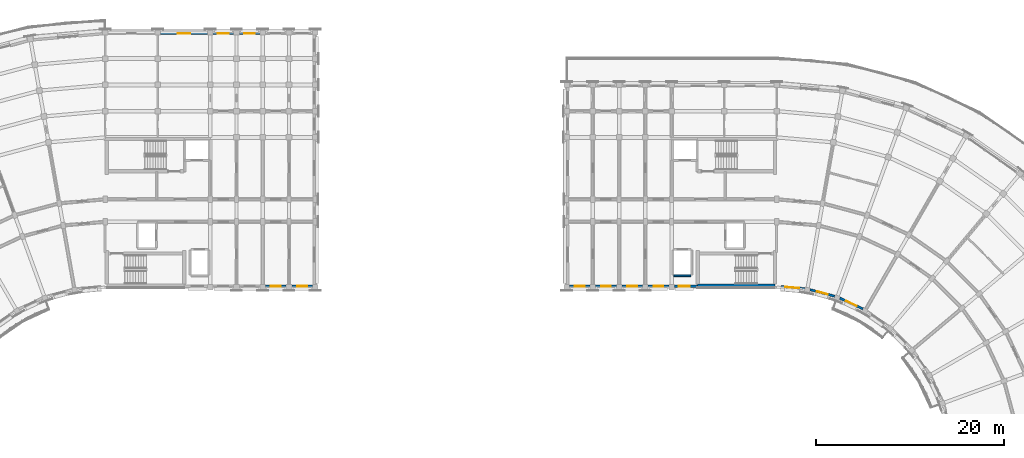
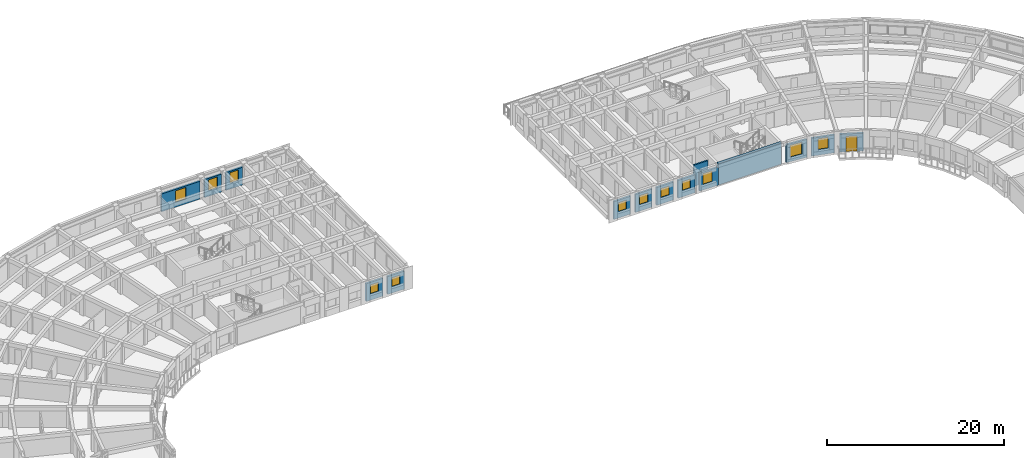
# One storey, part 20 of 41: 15 walls, 12 windows, 1 door, 13 openings.
"""IFC4 building model written with IfcOpenShell, lengths in metres."""

from ifc_helpers import new_model, si_unit, direction, frame, frame_2d, origin, place, context, subcontext, project, spatial, rectangle, extrude, material, layer, layer_set, type_object, element, fill, save


model = new_model("IFC4")

# Units and contexts
model_context = context("Model", 3, precision=1e-05, world=origin(), true_north=direction((0.0, 1.0)))
body_context = subcontext(model_context, "Body", "Model", "MODEL_VIEW")
ifc_project = project(units=[si_unit("LENGTHUNIT", "METRE"), si_unit("AREAUNIT", "SQUARE_METRE"), si_unit("VOLUMEUNIT", "CUBIC_METRE"), si_unit("PLANEANGLEUNIT", "RADIAN"), si_unit("MASSUNIT", "GRAM", prefix="KILO")], contexts=[model_context])

# Site, building, storey
site_placement = place(None, origin())
site = spatial("IfcSite", under=ifc_project, at=site_placement, CompositionType="ELEMENT")
building_placement = place(site_placement, origin())
building = spatial("IfcBuilding", under=site, at=building_placement, Name="Kiranvali Square Residences", CompositionType="ELEMENT")
storey_placement = place(building_placement, frame((0.0, 0.0, 33.89990234375)))
storey = spatial("IfcBuildingStorey", under=building, at=storey_placement, Name="L10", CompositionType="ELEMENT", Elevation=33.89990234375)

# Wall, opening, window
ifc_material_1 = material(Name="Breathable lime-rendered clay brick masonry", Category="masonry")
ifc_layer_1 = layer(ifc_material_1, 0.25)
ifc_layer_set_1 = layer_set([ifc_layer_1], Name="Breathable lime-rendered clay brick masonry")
wall_type_1 = type_object("IfcWallType", Name="WL-EXT-250", PredefinedType="STANDARD", material=ifc_layer_set_1)
wall_1_placement = place(storey_placement, frame((54.103515625, 133.675048828125, 0.0), z_axis=(0.0, 0.0, 1.0), x_axis=(1.0, 0.0, 0.0)))
wall_1 = element("IfcWall", 1, at=wall_1_placement, inside=storey, type_object=wall_type_1, Name="L10 exterior wall A-L10-A1O-1", PredefinedType="STANDARD", context=body_context, shape_type="SweptSolid", body=[
    extrude(rectangle(XDim=4.992919921875, YDim=0.25, at=frame_2d((2.49658203125, 0.0))), origin(), (0.0, 0.0, 1.0), 2.47216796875),
])
opening_1_placement = place(wall_1_placement, frame((1.821533203125, 0.0, 0.672119140625)))
opening_1 = element("IfcOpeningElement", 2, at=opening_1_placement, cuts=wall_1, Name="Opening W-14", PredefinedType="OPENING", context=body_context, shape_type="SweptSolid", body=[
    extrude(rectangle(XDim=1.35009765625, YDim=1.60009765625, at=frame_2d((0.675048828125, 0.800048828125))), frame((0.0, 0.135009765625, 0.0), z_axis=(0.0, -1.0, 0.0), x_axis=(1.0, 0.0, 0.0)), (0.0, 0.0, 1.0), 0.27001953125),
])
ifc_material_2 = material(Name="Solar-control low-e double glazing", Category="glass")
window_type_1 = type_object("IfcWindowType", Name="WIN-RES-1350x1600", PartitioningType="DOUBLE_PANEL_VERTICAL", PredefinedType="WINDOW", material=ifc_material_2)
window_1_placement = place(opening_1_placement, origin())
window_1 = element("IfcWindow", 3, at=window_1_placement, inside=storey, type_object=window_type_1, Name="L10 recessed window A-L10-A1O-1", OverallHeight=1.60009765625, OverallWidth=1.35009765625, PartitioningType="DOUBLE_PANEL_VERTICAL", PredefinedType="WINDOW", context=body_context, shape_type="SweptSolid", body=[
    extrude(rectangle(XDim=1.35009765625, YDim=1.60009765625, at=frame_2d((0.675048828125, 0.800048828125))), frame((0.0, 0.030029296875, 0.0), z_axis=(0.0, -1.0, 0.0), x_axis=(1.0, 0.0, 0.0)), (0.0, 0.0, 1.0), 0.06005859375),
])
fill(opening_1, window_1)

wall_2_placement = place(storey_placement, frame((59.70361328125, 133.675048828125, 0.0), z_axis=(0.0, 0.0, 1.0), x_axis=(1.0, 0.0, 0.0)))
wall_2 = element("IfcWall", 4, at=wall_2_placement, inside=storey, type_object=wall_type_1, Name="L10 exterior wall A-L10-A1O-2", PredefinedType="STANDARD", context=body_context, shape_type="SweptSolid", body=[
    extrude(rectangle(XDim=2.19287109375, YDim=0.25, at=frame_2d((1.096435546875, 0.0))), origin(), (0.0, 0.0, 1.0), 2.47216796875),
])
opening_2_placement = place(wall_2_placement, frame((0.49658203125, 0.0, 0.77197265625)))
opening_2 = element("IfcOpeningElement", 5, at=opening_2_placement, cuts=wall_2, Name="Opening W-06", PredefinedType="OPENING", context=body_context, shape_type="SweptSolid", body=[
    extrude(rectangle(XDim=1.199951171875, YDim=1.5, at=frame_2d((0.60009765625, 0.75))), frame((0.0, 0.135009765625, 0.0), z_axis=(0.0, -1.0, 0.0), x_axis=(1.0, 0.0, 0.0)), (0.0, 0.0, 1.0), 0.27001953125),
])
window_type_2 = type_object("IfcWindowType", Name="WIN-RES-1200x1500", PartitioningType="SINGLE_PANEL", PredefinedType="WINDOW", material=ifc_material_2)
window_2_placement = place(opening_2_placement, origin())
window_2 = element("IfcWindow", 6, at=window_2_placement, inside=storey, type_object=window_type_2, Name="L10 recessed window A-L10-A1O-2", OverallHeight=1.5, OverallWidth=1.199951171875, PartitioningType="SINGLE_PANEL", PredefinedType="WINDOW", context=body_context, shape_type="SweptSolid", body=[
    extrude(rectangle(XDim=1.199951171875, YDim=1.5, at=frame_2d((0.60009765625, 0.75))), frame((0.0, 0.030029296875, 0.0), z_axis=(0.0, -1.0, 0.0), x_axis=(1.0, 0.0, 0.0)), (0.0, 0.0, 1.0), 0.06005859375),
])
fill(opening_2, window_2)

wall_3_placement = place(storey_placement, frame((62.50341796875, 133.675048828125, 0.0), z_axis=(0.0, 0.0, 1.0), x_axis=(1.0, 0.0, 0.0)))
wall_3 = element("IfcWall", 7, at=wall_3_placement, inside=storey, type_object=wall_type_1, Name="L10 exterior wall A-L10-A1O-3", PredefinedType="STANDARD", context=body_context, shape_type="SweptSolid", body=[
    extrude(rectangle(XDim=2.193115234375, YDim=0.25, at=frame_2d((1.0966796875, 0.0))), origin(), (0.0, 0.0, 1.0), 2.47216796875),
])
opening_3_placement = place(wall_3_placement, frame((0.54638671875, 0.0, 0.822021484375)))
opening_3 = element("IfcOpeningElement", 8, at=opening_3_placement, cuts=wall_3, Name="Opening W-15", PredefinedType="OPENING", context=body_context, shape_type="SweptSolid", body=[
    extrude(rectangle(XDim=1.10009765625, YDim=1.449951171875, at=frame_2d((0.550048828125, 0.72509765625))), frame((0.0, 0.135009765625, 0.0), z_axis=(0.0, -1.0, 0.0), x_axis=(1.0, 0.0, 0.0)), (0.0, 0.0, 1.0), 0.27001953125),
])
window_type_3 = type_object("IfcWindowType", Name="WIN-RES-1100x1450", PartitioningType="SINGLE_PANEL", PredefinedType="WINDOW", material=ifc_material_2)
window_3_placement = place(opening_3_placement, origin())
window_3 = element("IfcWindow", 9, at=window_3_placement, inside=storey, type_object=window_type_3, Name="L10 recessed window A-L10-A1O-3", OverallHeight=1.449951171875, OverallWidth=1.10009765625, PartitioningType="SINGLE_PANEL", PredefinedType="WINDOW", context=body_context, shape_type="SweptSolid", body=[
    extrude(rectangle(XDim=1.10009765625, YDim=1.449951171875, at=frame_2d((0.550048828125, 0.72509765625))), frame((0.0, 0.030029296875, 0.0), z_axis=(0.0, -1.0, 0.0), x_axis=(1.0, 0.0, 0.0)), (0.0, 0.0, 1.0), 0.06005859375),
])
fill(opening_3, window_3)

wall_4_placement = place(storey_placement, frame((65.303466796875, 106.72509765625, 0.0), z_axis=(0.0, 0.0, 1.0), x_axis=(1.0, 0.0, 0.0)))
wall_4 = element("IfcWall", 10, at=wall_4_placement, inside=storey, type_object=wall_type_1, Name="L10 exterior wall A-L10-A1I-2", PredefinedType="STANDARD", context=body_context, shape_type="SweptSolid", body=[
    extrude(rectangle(XDim=2.193115234375, YDim=0.25, at=frame_2d((1.0966796875, 0.0))), origin(), (0.0, 0.0, 1.0), 2.47216796875),
])
opening_4_placement = place(wall_4_placement, frame((0.571533203125, 0.0, 0.8798828125)))
opening_4 = element("IfcOpeningElement", 11, at=opening_4_placement, cuts=wall_4, Name="Opening W-24", PredefinedType="OPENING", context=body_context, shape_type="SweptSolid", body=[
    extrude(rectangle(XDim=1.050048828125, YDim=1.25, at=frame_2d((0.52490234375, 0.625))), frame((0.0, 0.135009765625, 0.0), z_axis=(0.0, -1.0, 0.0), x_axis=(1.0, 0.0, 0.0)), (0.0, 0.0, 1.0), 0.27001953125),
])
window_type_4 = type_object("IfcWindowType", Name="WIN-COR-1050x1250", PartitioningType="SINGLE_PANEL", PredefinedType="WINDOW", material=ifc_material_2)
window_4_placement = place(opening_4_placement, origin())
window_4 = element("IfcWindow", 12, at=window_4_placement, inside=storey, type_object=window_type_4, Name="L10 recessed window A-L10-A1I-2", OverallHeight=1.25, OverallWidth=1.050048828125, PartitioningType="SINGLE_PANEL", PredefinedType="WINDOW", context=body_context, shape_type="SweptSolid", body=[
    extrude(rectangle(XDim=1.050048828125, YDim=1.25, at=frame_2d((0.52490234375, 0.625))), frame((0.0, 0.030029296875, 0.0), z_axis=(0.0, -1.0, 0.0), x_axis=(1.0, 0.0, 0.0)), (0.0, 0.0, 1.0), 0.06005859375),
])
fill(opening_4, window_4)

wall_5_placement = place(storey_placement, frame((68.103515625, 106.72509765625, 0.0), z_axis=(0.0, 0.0, 1.0), x_axis=(1.0, 0.0, 0.0)))
wall_5 = element("IfcWall", 13, at=wall_5_placement, inside=storey, type_object=wall_type_1, Name="L10 exterior wall A-L10-A1I-3", PredefinedType="STANDARD", context=body_context, shape_type="SweptSolid", body=[
    extrude(rectangle(XDim=2.19287109375, YDim=0.25, at=frame_2d((1.096435546875, 0.0))), origin(), (0.0, 0.0, 1.0), 2.47216796875),
])
opening_5_placement = place(wall_5_placement, frame((0.571533203125, 0.0, 0.8798828125)))
opening_5 = element("IfcOpeningElement", 14, at=opening_5_placement, cuts=wall_5, Name="Opening W-24", PredefinedType="OPENING", context=body_context, shape_type="SweptSolid", body=[
    extrude(rectangle(XDim=1.050048828125, YDim=1.25, at=frame_2d((0.52490234375, 0.625))), frame((0.0, 0.135009765625, 0.0), z_axis=(0.0, -1.0, 0.0), x_axis=(1.0, 0.0, 0.0)), (0.0, 0.0, 1.0), 0.27001953125),
])
window_5_placement = place(opening_5_placement, origin())
window_5 = element("IfcWindow", 15, at=window_5_placement, inside=storey, type_object=window_type_4, Name="L10 recessed window A-L10-A1I-3", OverallHeight=1.25, OverallWidth=1.050048828125, PartitioningType="SINGLE_PANEL", PredefinedType="WINDOW", context=body_context, shape_type="SweptSolid", body=[
    extrude(rectangle(XDim=1.050048828125, YDim=1.25, at=frame_2d((0.52490234375, 0.625))), frame((0.0, 0.030029296875, 0.0), z_axis=(0.0, -1.0, 0.0), x_axis=(1.0, 0.0, 0.0)), (0.0, 0.0, 1.0), 0.06005859375),
])
fill(opening_5, window_5)

wall_6_placement = place(storey_placement, frame((120.249267578125, 106.686279296875, 0.0), z_axis=(0.0, 0.0, 1.0), x_axis=(0.996188847542, -0.087222589008, 0.0)))
wall_6 = element("IfcWall", 16, at=wall_6_placement, inside=storey, type_object=wall_type_1, Name="L10 exterior wall B-L10-GDN-00", PredefinedType="STANDARD", context=body_context, shape_type="SweptSolid", body=[
    extrude(rectangle(XDim=2.558349609375, YDim=0.25, at=frame_2d((1.279296875, 0.0))), origin(), (0.0, 0.0, 1.0), 2.47216796875),
])
opening_6_placement = place(wall_6_placement, frame((0.448486328125, 0.0, 0.6220703125)))
opening_6 = element("IfcOpeningElement", 17, at=opening_6_placement, cuts=wall_6, Name="Opening W-05", PredefinedType="OPENING", context=body_context, shape_type="SweptSolid", body=[
    extrude(rectangle(XDim=1.5, YDim=1.64990234375, at=frame_2d((0.75, 0.824951171875))), frame((0.0, 0.135009765625, 0.0), z_axis=(0.0, -1.0, 0.0), x_axis=(1.0, 0.0, 0.0)), (0.0, 0.0, 1.0), 0.27001953125),
])
window_type_5 = type_object("IfcWindowType", Name="WIN-RES-1500x1650", PartitioningType="DOUBLE_PANEL_VERTICAL", PredefinedType="WINDOW", material=ifc_material_2)
window_6_placement = place(opening_6_placement, origin())
window_6 = element("IfcWindow", 18, at=window_6_placement, inside=storey, type_object=window_type_5, Name="L10 recessed window B-L10-GDN-00", OverallHeight=1.64990234375, OverallWidth=1.5, PartitioningType="DOUBLE_PANEL_VERTICAL", PredefinedType="WINDOW", context=body_context, shape_type="SweptSolid", body=[
    extrude(rectangle(XDim=1.5, YDim=1.64990234375, at=frame_2d((0.75, 0.824951171875))), frame((0.0, 0.030029296875, 0.0), z_axis=(0.0, -1.0, 0.0), x_axis=(1.0, 0.0, 0.0)), (0.0, 0.0, 1.0), 0.06005859375),
])
fill(opening_6, window_6)

wall_7_placement = place(storey_placement, frame((123.3662109375, 106.363037109375, 0.0), z_axis=(0.0, 0.0, 1.0), x_axis=(0.965928818058, -0.258807879411, 0.0)))
wall_7 = element("IfcWall", 19, at=wall_7_placement, inside=storey, type_object=wall_type_1, Name="L10 exterior wall B-L10-GDN-01", PredefinedType="STANDARD", context=body_context, shape_type="SweptSolid", body=[
    extrude(rectangle(XDim=2.7197265625, YDim=0.25, at=frame_2d((1.35986328125, 0.0))), origin(), (0.0, 0.0, 1.0), 2.47216796875),
])
opening_7_placement = place(wall_7_placement, frame((0.759765625, 0.0, 0.77197265625)))
opening_7 = element("IfcOpeningElement", 20, at=opening_7_placement, cuts=wall_7, Name="Opening W-06", PredefinedType="OPENING", context=body_context, shape_type="SweptSolid", body=[
    extrude(rectangle(XDim=1.199951171875, YDim=1.5, at=frame_2d((0.60009765625, 0.75))), frame((0.0, 0.135009765625, 0.0), z_axis=(0.0, -1.0, 0.0), x_axis=(1.0, 0.0, 0.0)), (0.0, 0.0, 1.0), 0.27001953125),
])
window_7_placement = place(opening_7_placement, origin())
window_7 = element("IfcWindow", 21, at=window_7_placement, inside=storey, type_object=window_type_2, Name="L10 recessed window B-L10-GDN-01", OverallHeight=1.5, OverallWidth=1.199951171875, PartitioningType="SINGLE_PANEL", PredefinedType="WINDOW", context=body_context, shape_type="SweptSolid", body=[
    extrude(rectangle(XDim=1.199951171875, YDim=1.5, at=frame_2d((0.60009765625, 0.75))), frame((0.0, 0.030029296875, 0.0), z_axis=(0.0, -1.0, 0.0), x_axis=(1.0, 0.0, 0.0)), (0.0, 0.0, 1.0), 0.06005859375),
])
fill(opening_7, window_7)

# Wall, opening, door
wall_8_placement = place(storey_placement, frame((126.535400390625, 105.461669921875, 0.0), z_axis=(0.0, 0.0, 1.0), x_axis=(0.906302358412, -0.422629903269, 0.0)))
wall_8 = element("IfcWall", 22, at=wall_8_placement, inside=storey, type_object=wall_type_1, Name="L10 exterior wall B-L10-GDN-02", PredefinedType="STANDARD", context=body_context, shape_type="SweptSolid", body=[
    extrude(rectangle(XDim=2.7197265625, YDim=0.25, at=frame_2d((1.35986328125, 0.0))), origin(), (0.0, 0.0, 1.0), 2.47216796875),
])
opening_8_placement = place(wall_8_placement, frame((0.729736328125, 0.0, 0.0)))
opening_8 = element("IfcOpeningElement", 23, at=opening_8_placement, cuts=wall_8, Name="Opening ED-BAL-2", PredefinedType="OPENING", context=body_context, shape_type="SweptSolid", body=[
    extrude(rectangle(XDim=1.260009765625, YDim=2.14990234375, at=frame_2d((0.6298828125, 1.074951171875))), frame((0.0, 0.135009765625, 0.0), z_axis=(0.0, -1.0, 0.0), x_axis=(1.0, 0.0, 0.0)), (0.0, 0.0, 1.0), 0.27001953125),
])
ifc_material_3 = material(Name="Anodised bronze aluminium framing", Category="aluminium")
door_type = type_object("IfcDoorType", Name="DR-BAL-1260", OperationType="NOTDEFINED", PredefinedType="DOOR", material=ifc_material_3)
door_placement = place(opening_8_placement, frame((1.260009765625, 0.0, 0.0), z_axis=(0.0, 0.0, 1.0), x_axis=(-1.0, 0.0, 0.0)))
door = element("IfcDoor", 24, at=door_placement, inside=storey, type_object=door_type, Name="L10 balcony terrace door", OperationType="SINGLE_SWING_LEFT", OverallHeight=2.14990234375, OverallWidth=1.260009765625, PredefinedType="DOOR", context=body_context, shape_type="SweptSolid", body=[
    extrude(rectangle(XDim=1.260009765625, YDim=2.14990234375, at=frame_2d((0.6298828125, 1.074951171875))), frame((0.0, 0.02490234375, 0.0), z_axis=(0.0, -1.0, 0.0), x_axis=(1.0, 0.0, 0.0)), (0.0, 0.0, 1.0), 0.050048828125),
])
fill(opening_8, door)

# Wall, opening, window
wall_9_placement = place(storey_placement, frame((111.37158203125, 106.72509765625, 0.0), z_axis=(0.0, 0.0, 1.0), x_axis=(-1.0, 0.0, 0.0)))
wall_9 = element("IfcWall", 25, at=wall_9_placement, inside=storey, type_object=wall_type_1, Name="L10 exterior wall B-L10-A1IN-0", PredefinedType="STANDARD", context=body_context, shape_type="SweptSolid", body=[
    extrude(rectangle(XDim=2.468017578125, YDim=0.25, at=frame_2d((1.23388671875, 0.0))), origin(), (0.0, 0.0, 1.0), 2.47216796875),
])
opening_9_placement = place(wall_9_placement, frame((0.821533203125, 0.0, 0.77197265625)))
opening_9 = element("IfcOpeningElement", 26, at=opening_9_placement, cuts=wall_9, Name="Opening W-06", PredefinedType="OPENING", context=body_context, shape_type="SweptSolid", body=[
    extrude(rectangle(XDim=1.199951171875, YDim=1.5, at=frame_2d((0.60009765625, 0.75))), frame((0.0, 0.135009765625, 0.0), z_axis=(0.0, -1.0, 0.0), x_axis=(1.0, 0.0, 0.0)), (0.0, 0.0, 1.0), 0.27001953125),
])
window_8_placement = place(opening_9_placement, origin())
window_8 = element("IfcWindow", 27, at=window_8_placement, inside=storey, type_object=window_type_2, Name="L10 recessed window B-L10-A1IN-0", OverallHeight=1.5, OverallWidth=1.199951171875, PartitioningType="SINGLE_PANEL", PredefinedType="WINDOW", context=body_context, shape_type="SweptSolid", body=[
    extrude(rectangle(XDim=1.199951171875, YDim=1.5, at=frame_2d((0.60009765625, 0.75))), frame((0.0, 0.030029296875, 0.0), z_axis=(0.0, -1.0, 0.0), x_axis=(1.0, 0.0, 0.0)), (0.0, 0.0, 1.0), 0.06005859375),
])
fill(opening_9, window_8)

wall_10_placement = place(storey_placement, frame((108.29638671875, 106.72509765625, 0.0), z_axis=(0.0, 0.0, 1.0), x_axis=(-1.0, 0.0, 0.0)))
wall_10 = element("IfcWall", 28, at=wall_10_placement, inside=storey, type_object=wall_type_1, Name="L10 exterior wall B-L10-A1I-0", PredefinedType="STANDARD", context=body_context, shape_type="SweptSolid", body=[
    extrude(rectangle(XDim=2.19287109375, YDim=0.25, at=frame_2d((1.096435546875, 0.0))), origin(), (0.0, 0.0, 1.0), 2.47216796875),
])
opening_10_placement = place(wall_10_placement, frame((0.571533203125, 0.0, 0.8798828125)))
opening_10 = element("IfcOpeningElement", 29, at=opening_10_placement, cuts=wall_10, Name="Opening W-24", PredefinedType="OPENING", context=body_context, shape_type="SweptSolid", body=[
    extrude(rectangle(XDim=1.050048828125, YDim=1.25, at=frame_2d((0.52490234375, 0.625))), frame((0.0, 0.135009765625, 0.0), z_axis=(0.0, -1.0, 0.0), x_axis=(1.0, 0.0, 0.0)), (0.0, 0.0, 1.0), 0.27001953125),
])
window_9_placement = place(opening_10_placement, origin())
window_9 = element("IfcWindow", 30, at=window_9_placement, inside=storey, type_object=window_type_4, Name="L10 recessed window B-L10-A1I-0", OverallHeight=1.25, OverallWidth=1.050048828125, PartitioningType="SINGLE_PANEL", PredefinedType="WINDOW", context=body_context, shape_type="SweptSolid", body=[
    extrude(rectangle(XDim=1.050048828125, YDim=1.25, at=frame_2d((0.52490234375, 0.625))), frame((0.0, 0.030029296875, 0.0), z_axis=(0.0, -1.0, 0.0), x_axis=(1.0, 0.0, 0.0)), (0.0, 0.0, 1.0), 0.06005859375),
])
fill(opening_10, window_9)

wall_11_placement = place(storey_placement, frame((105.49658203125, 106.72509765625, 0.0), z_axis=(0.0, 0.0, 1.0), x_axis=(-1.0, 0.0, 0.0)))
wall_11 = element("IfcWall", 31, at=wall_11_placement, inside=storey, type_object=wall_type_1, Name="L10 exterior wall B-L10-A1I-1", PredefinedType="STANDARD", context=body_context, shape_type="SweptSolid", body=[
    extrude(rectangle(XDim=2.193115234375, YDim=0.25, at=frame_2d((1.0966796875, 0.0))), origin(), (0.0, 0.0, 1.0), 2.47216796875),
])
opening_11_placement = place(wall_11_placement, frame((0.571533203125, 0.0, 0.8798828125)))
opening_11 = element("IfcOpeningElement", 32, at=opening_11_placement, cuts=wall_11, Name="Opening W-24", PredefinedType="OPENING", context=body_context, shape_type="SweptSolid", body=[
    extrude(rectangle(XDim=1.050048828125, YDim=1.25, at=frame_2d((0.52490234375, 0.625))), frame((0.0, 0.135009765625, 0.0), z_axis=(0.0, -1.0, 0.0), x_axis=(1.0, 0.0, 0.0)), (0.0, 0.0, 1.0), 0.27001953125),
])
window_10_placement = place(opening_11_placement, origin())
window_10 = element("IfcWindow", 33, at=window_10_placement, inside=storey, type_object=window_type_4, Name="L10 recessed window B-L10-A1I-1", OverallHeight=1.25, OverallWidth=1.050048828125, PartitioningType="SINGLE_PANEL", PredefinedType="WINDOW", context=body_context, shape_type="SweptSolid", body=[
    extrude(rectangle(XDim=1.050048828125, YDim=1.25, at=frame_2d((0.52490234375, 0.625))), frame((0.0, 0.030029296875, 0.0), z_axis=(0.0, -1.0, 0.0), x_axis=(1.0, 0.0, 0.0)), (0.0, 0.0, 1.0), 0.06005859375),
])
fill(opening_11, window_10)

wall_12_placement = place(storey_placement, frame((102.696533203125, 106.72509765625, 0.0), z_axis=(0.0, 0.0, 1.0), x_axis=(-1.0, 0.0, 0.0)))
wall_12 = element("IfcWall", 34, at=wall_12_placement, inside=storey, type_object=wall_type_1, Name="L10 exterior wall B-L10-A1I-2", PredefinedType="STANDARD", context=body_context, shape_type="SweptSolid", body=[
    extrude(rectangle(XDim=2.193115234375, YDim=0.25, at=frame_2d((1.0966796875, 0.0))), origin(), (0.0, 0.0, 1.0), 2.47216796875),
])
opening_12_placement = place(wall_12_placement, frame((0.571533203125, 0.0, 0.8798828125)))
opening_12 = element("IfcOpeningElement", 35, at=opening_12_placement, cuts=wall_12, Name="Opening W-24", PredefinedType="OPENING", context=body_context, shape_type="SweptSolid", body=[
    extrude(rectangle(XDim=1.050048828125, YDim=1.25, at=frame_2d((0.52490234375, 0.625))), frame((0.0, 0.135009765625, 0.0), z_axis=(0.0, -1.0, 0.0), x_axis=(1.0, 0.0, 0.0)), (0.0, 0.0, 1.0), 0.27001953125),
])
window_11_placement = place(opening_12_placement, origin())
window_11 = element("IfcWindow", 36, at=window_11_placement, inside=storey, type_object=window_type_4, Name="L10 recessed window B-L10-A1I-2", OverallHeight=1.25, OverallWidth=1.050048828125, PartitioningType="SINGLE_PANEL", PredefinedType="WINDOW", context=body_context, shape_type="SweptSolid", body=[
    extrude(rectangle(XDim=1.050048828125, YDim=1.25, at=frame_2d((0.52490234375, 0.625))), frame((0.0, 0.030029296875, 0.0), z_axis=(0.0, -1.0, 0.0), x_axis=(1.0, 0.0, 0.0)), (0.0, 0.0, 1.0), 0.06005859375),
])
fill(opening_12, window_11)

wall_13_placement = place(storey_placement, frame((99.896484375, 106.72509765625, 0.0), z_axis=(0.0, 0.0, 1.0), x_axis=(-1.0, 0.0, 0.0)))
wall_13 = element("IfcWall", 37, at=wall_13_placement, inside=storey, type_object=wall_type_1, Name="L10 exterior wall B-L10-A1I-3", PredefinedType="STANDARD", context=body_context, shape_type="SweptSolid", body=[
    extrude(rectangle(XDim=2.19287109375, YDim=0.25, at=frame_2d((1.096435546875, 0.0))), origin(), (0.0, 0.0, 1.0), 2.47216796875),
])
opening_13_placement = place(wall_13_placement, frame((0.571533203125, 0.0, 0.8798828125)))
opening_13 = element("IfcOpeningElement", 38, at=opening_13_placement, cuts=wall_13, Name="Opening W-24", PredefinedType="OPENING", context=body_context, shape_type="SweptSolid", body=[
    extrude(rectangle(XDim=1.050048828125, YDim=1.25, at=frame_2d((0.52490234375, 0.625))), frame((0.0, 0.135009765625, 0.0), z_axis=(0.0, -1.0, 0.0), x_axis=(1.0, 0.0, 0.0)), (0.0, 0.0, 1.0), 0.27001953125),
])
window_12_placement = place(opening_13_placement, origin())
window_12 = element("IfcWindow", 39, at=window_12_placement, inside=storey, type_object=window_type_4, Name="L10 recessed window B-L10-A1I-3", OverallHeight=1.25, OverallWidth=1.050048828125, PartitioningType="SINGLE_PANEL", PredefinedType="WINDOW", context=body_context, shape_type="SweptSolid", body=[
    extrude(rectangle(XDim=1.050048828125, YDim=1.25, at=frame_2d((0.52490234375, 0.625))), frame((0.0, 0.030029296875, 0.0), z_axis=(0.0, -1.0, 0.0), x_axis=(1.0, 0.0, 0.0)), (0.0, 0.0, 1.0), 0.06005859375),
])
fill(opening_13, window_12)

# Walls
ifc_material_4 = material(Name="Autoclaved aerated concrete blockwork masonry", Category="masonry")
ifc_layer_2 = layer(ifc_material_4, 0.199951171875)
ifc_layer_set_2 = layer_set([ifc_layer_2], Name="Autoclaved aerated concrete blockwork masonry")
wall_type_2 = type_object("IfcWallType", Name="WL-SHF-200", PredefinedType="STANDARD", material=ifc_layer_set_2)
wall_14_placement = place(storey_placement, frame((110.64990234375, 107.85009765625, 0.0), z_axis=(0.0, 0.0, 1.0), x_axis=(-1.0, 0.0, 0.0)))
element("IfcWall", 40, at=wall_14_placement, inside=storey, type_object=wall_type_2, Name="L10 architectural wall WL-L10-B-LP1-S2", PredefinedType="STANDARD", context=body_context, shape_type="SweptSolid", body=[
    extrude(rectangle(XDim=1.7998046875, YDim=0.199951171875, at=frame_2d((0.89990234375, 0.0))), origin(), (0.0, 0.0, 1.0), 2.93017578125),
])
ifc_material_5 = material(Name="Concrete M45 (45 MPa)", Category="concrete")
ifc_layer_3 = layer(ifc_material_5, 0.320068359375)
ifc_layer_set_3 = layer_set([ifc_layer_3], Name="Concrete M45 (45 MPa)")
wall_type_3 = type_object("IfcWallType", Name="WL-SHR-320", PredefinedType="SHEAR", material=ifc_layer_set_3)
wall_15_placement = place(storey_placement, frame((119.625, 106.77490234375, 0.0), z_axis=(0.0, 0.0, 1.0), x_axis=(-1.0, 0.0, 0.0)))
element("IfcWall", 41, at=wall_15_placement, inside=storey, type_object=wall_type_3, Name="Block B core shear wall SW-B2-OUT-L10", PredefinedType="SHEAR", context=body_context, shape_type="SweptSolid", body=[
    extrude(rectangle(XDim=8.25, YDim=0.35009765625, at=frame_2d((4.125, 0.0))), origin(), (0.0, 0.0, 1.0), 2.93017578125),
])

save(model, "model.ifc")
